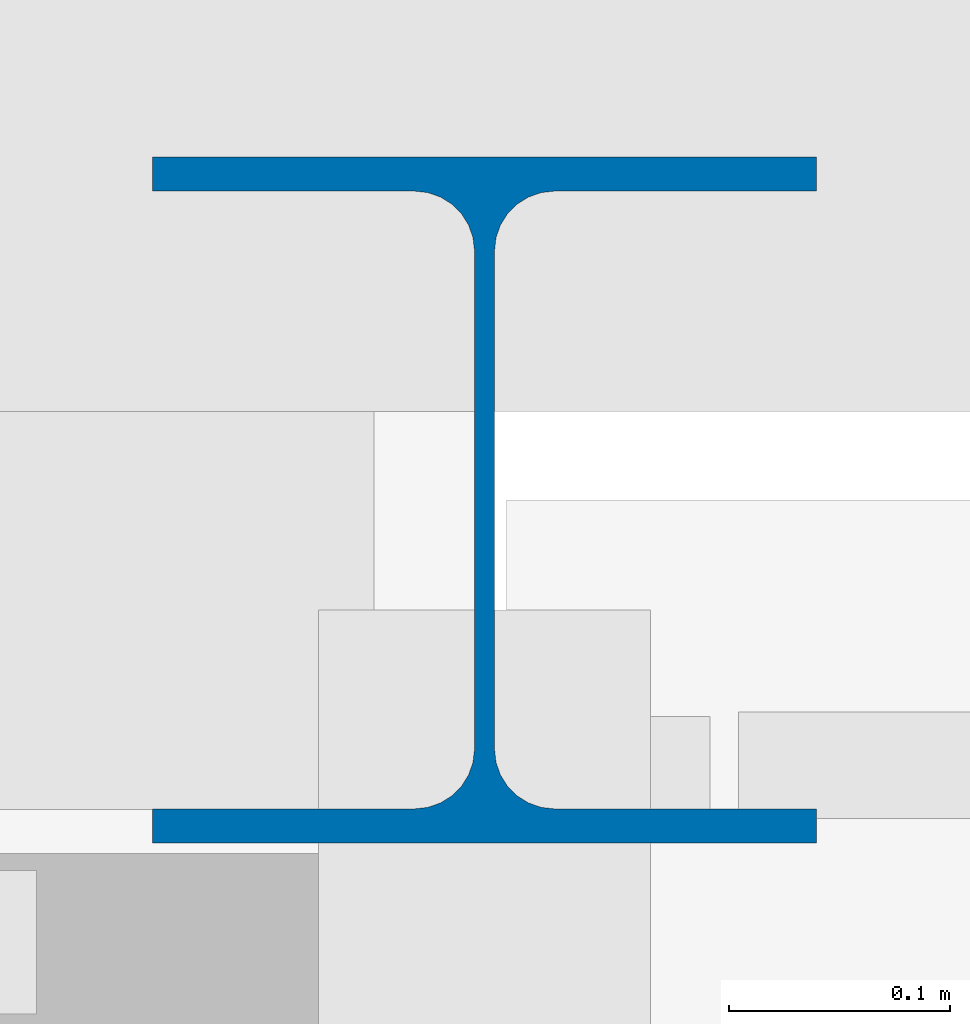
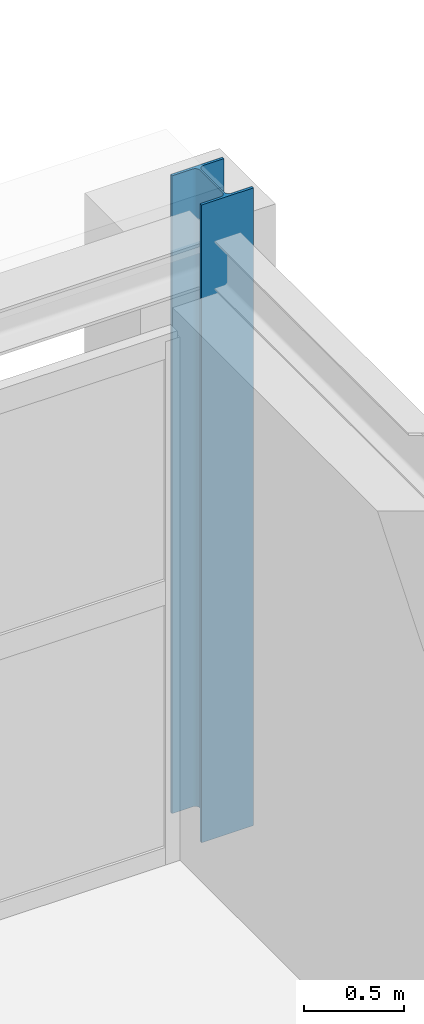
# One storey, part 6 of 52: 1 column.
"""IFC4 building model written with IfcOpenShell, lengths in metres."""

from ifc_helpers import new_model, si_unit, direction, frame, origin, origin_2d, place, context, subcontext, project, spatial, i_section, extrude, material, material_profile, profile_set, type_object, element, save


model = new_model("IFC4")

# Units and contexts
model_context = context("Model", 3, precision=1e-05, world=origin(), true_north=direction((0.0, 1.0)))
body_context = subcontext(model_context, "Body", "Model", "MODEL_VIEW")
ifc_project = project(units=[si_unit("LENGTHUNIT", "METRE"), si_unit("AREAUNIT", "SQUARE_METRE"), si_unit("VOLUMEUNIT", "CUBIC_METRE"), si_unit("PLANEANGLEUNIT", "RADIAN"), si_unit("MASSUNIT", "GRAM", prefix="KILO")], contexts=[model_context])

# Site, building, storey
site_placement = place(None, origin())
site = spatial("IfcSite", under=ifc_project, at=site_placement, CompositionType="ELEMENT")
building_placement = place(site_placement, origin())
building = spatial("IfcBuilding", under=site, at=building_placement, Name="Myrtia Square Station", CompositionType="ELEMENT")
storey_placement = place(building_placement, frame((0.0, 0.0, 15.0)))
storey = spatial("IfcBuildingStorey", under=building, at=storey_placement, Name="L03", CompositionType="ELEMENT", Elevation=15.0)

# Column
ifc_material = material(Name="Steel S355", Category="steel")
ifc_material_profile = material_profile(ifc_material, i_section(OverallWidth=0.300048828125, OverallDepth=0.31005859375, WebThickness=0.009033203125, FlangeThickness=0.015380859375, FilletRadius=0.027099609375, at=origin_2d()), Name="HEA 320")
ifc_profile_set = profile_set([ifc_material_profile], Name="Steel S355")
column_type = type_object("IfcColumnType", Name="COL-HEA320", PredefinedType="COLUMN", material=ifc_profile_set)
column_placement = place(storey_placement, frame((144.0, 38.39990234375, 0.0), z_axis=(0.0, 0.0, 1.0), x_axis=(1.0, 0.0, 0.0)))
element("IfcColumn", 1, at=column_placement, inside=storey, type_object=column_type, Name="Column L03-0658", PredefinedType="COLUMN", context=body_context, shape_type="SweptSolid", body=[
    extrude(i_section(OverallWidth=0.300048828125, OverallDepth=0.31005859375, WebThickness=0.009033203125, FlangeThickness=0.015380859375, FilletRadius=0.027099609375, at=origin_2d()), origin(), (0.0, 0.0, 1.0), 3.89990234375),
])

save(model, "model.ifc")
